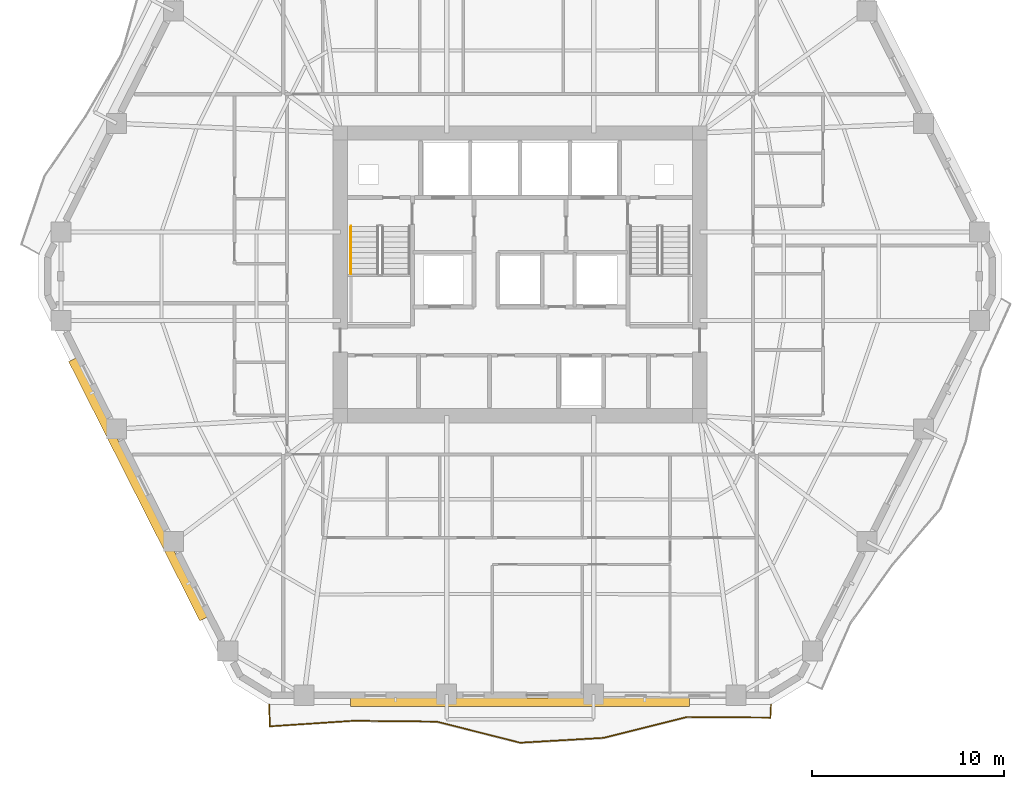
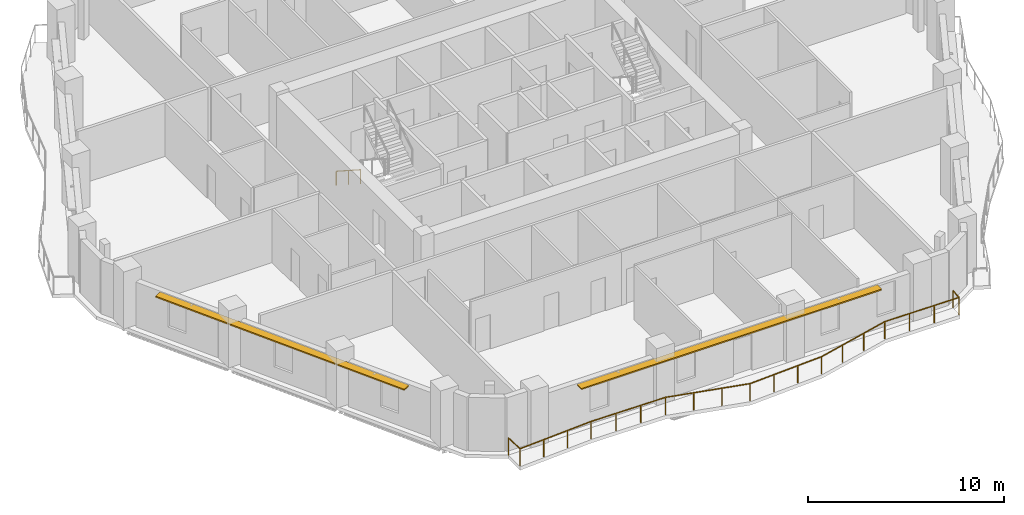
# One storey, part 10 of 12: 2 railings, 2 shading devices.
"""IFC4 building model written with IfcOpenShell, lengths in metres."""

from ifc_helpers import new_model, si_unit, direction, frame, origin, origin_2d, place, context, subcontext, project, spatial, rectangle, extrude, material, layer, layer_set, type_object, element, save


model = new_model("IFC4")

# Units and contexts
model_context = context("Model", 3, precision=1e-05, world=origin(), true_north=direction((0.0, 1.0)))
body_context = subcontext(model_context, "Body", "Model", "MODEL_VIEW")
ifc_project = project(units=[si_unit("LENGTHUNIT", "METRE"), si_unit("AREAUNIT", "SQUARE_METRE"), si_unit("VOLUMEUNIT", "CUBIC_METRE"), si_unit("PLANEANGLEUNIT", "RADIAN"), si_unit("MASSUNIT", "GRAM", prefix="KILO")], contexts=[model_context])

# Site, building, storey
site_placement = place(None, origin())
site = spatial("IfcSite", under=ifc_project, at=site_placement, CompositionType="ELEMENT")
building_placement = place(site_placement, origin())
building = spatial("IfcBuilding", under=site, at=building_placement, Name="Cinnabar Lancet Tower", CompositionType="ELEMENT")
storey_placement = place(building_placement, frame((0.0, 0.0, 141.0)))
storey = spatial("IfcBuildingStorey", under=building, at=storey_placement, Name="L37", CompositionType="ELEMENT", Elevation=141.0)

# Railing
ifc_material_1 = material(Name="Laminated safety glass and bronze stainless steel balustrade", Category="steel")
railing_type_1 = type_object("IfcRailingType", Name="ENV-RLG-BAL-1100", PredefinedType="BALUSTRADE", material=ifc_material_1)
railing_1_placement = place(storey_placement, frame((19.30810546875, 3.449951171875, 0.0)))
element("IfcRailing", 1, at=railing_1_placement, inside=storey, type_object=railing_type_1, Name="L37 Face 1 Wave Balcony Balustrade", PredefinedType="BALUSTRADE", context=body_context, shape_type="SweptSolid", body=[
    extrude(rectangle(XDim=0.048095703125, YDim=0.048095703125, at=origin_2d()), frame((0.0, 0.0, 1.076171875), z_axis=(0.029995133036, -0.999550044767, 0.0), x_axis=(0.999550044767, 0.029995133036, 0.0)), (0.0, 0.0, 1.0), 1.13134765625),
    extrude(rectangle(XDim=0.048095703125, YDim=0.048095703125, at=origin_2d()), frame((0.033935546875, -1.130859375, 1.076171875), z_axis=(0.99780811653, 0.066173730343, 0.0), x_axis=(-0.066173730343, 0.99780811653, 0.0)), (0.0, 0.0, 1.0), 4.364501953125),
    extrude(rectangle(XDim=0.048095703125, YDim=0.048095703125, at=origin_2d()), frame((4.388916015625, -0.842041015625, 1.076171875), z_axis=(0.999953453313, -0.009648378434, 0.0), x_axis=(0.009648378434, 0.999953453313, 0.0)), (0.0, 0.0, 1.0), 4.352294921875),
    extrude(rectangle(XDim=0.048095703125, YDim=0.048095703125, at=origin_2d()), frame((8.740966796875, -0.884033203125, 1.076171875), z_axis=(0.969450605308, -0.245286615753, 0.0), x_axis=(0.245286615753, 0.969450605308, 0.0)), (0.0, 0.0, 1.0), 4.488037109375),
    extrude(rectangle(XDim=0.048095703125, YDim=0.048095703125, at=origin_2d()), frame((13.091796875, -1.98486328125, 1.076171875), z_axis=(0.998315452558, 0.058019455225, 0.0), x_axis=(-0.058019455225, 0.998315452558, 0.0)), (0.0, 0.0, 1.0), 4.359375),
    extrude(rectangle(XDim=0.048095703125, YDim=0.048095703125, at=origin_2d()), frame((17.44384765625, -1.73193359375, 1.076171875), z_axis=(0.970136095719, 0.242561241304, 0.0), x_axis=(-0.242561241304, 0.970136095719, 0.0)), (0.0, 0.0, 1.0), 4.485107421875),
    extrude(rectangle(XDim=0.048095703125, YDim=0.048095703125, at=origin_2d()), frame((21.794921875, -0.64404296875, 1.076171875), z_axis=(0.999974645012, -0.007121048554, 0.0), x_axis=(0.007121048554, 0.999974645012, 0.0)), (0.0, 0.0, 1.0), 4.35400390625),
    extrude(rectangle(XDim=0.048095703125, YDim=0.048095703125, at=origin_2d()), frame((26.14892578125, -0.675048828125, 1.076171875), z_axis=(0.051648874785, 0.998665306163, 0.0), x_axis=(-0.998665306163, 0.051648874785, 0.0)), (0.0, 0.0, 1.0), 0.676025390625),
    extrude(rectangle(XDim=0.0419921875, YDim=0.0419921875, at=origin_2d()), origin(), (0.0, 0.0, 1.0), 1.052001953125),
    extrude(rectangle(XDim=0.0419921875, YDim=0.0419921875, at=origin_2d()), frame((0.033935546875, -1.130859375, 0.0)), (0.0, 0.0, 1.0), 1.052001953125),
    extrude(rectangle(XDim=0.0419921875, YDim=0.0419921875, at=origin_2d()), frame((1.485595703125, -1.03466796875, 0.0)), (0.0, 0.0, 1.0), 1.052001953125),
    extrude(rectangle(XDim=0.0419921875, YDim=0.0419921875, at=origin_2d()), frame((2.937255859375, -0.938232421875, 0.0)), (0.0, 0.0, 1.0), 1.052001953125),
    extrude(rectangle(XDim=0.0419921875, YDim=0.0419921875, at=origin_2d()), frame((4.388916015625, -0.842041015625, 0.0)), (0.0, 0.0, 1.0), 1.052001953125),
    extrude(rectangle(XDim=0.0419921875, YDim=0.0419921875, at=origin_2d()), frame((5.839599609375, -0.85595703125, 0.0)), (0.0, 0.0, 1.0), 1.052001953125),
    extrude(rectangle(XDim=0.0419921875, YDim=0.0419921875, at=origin_2d()), frame((7.290283203125, -0.8701171875, 0.0)), (0.0, 0.0, 1.0), 1.052001953125),
    extrude(rectangle(XDim=0.0419921875, YDim=0.0419921875, at=origin_2d()), frame((8.740966796875, -0.884033203125, 0.0)), (0.0, 0.0, 1.0), 1.052001953125),
    extrude(rectangle(XDim=0.0419921875, YDim=0.0419921875, at=origin_2d()), frame((10.191162109375, -1.2509765625, 0.0)), (0.0, 0.0, 1.0), 1.052001953125),
    extrude(rectangle(XDim=0.0419921875, YDim=0.0419921875, at=origin_2d()), frame((11.6416015625, -1.617919921875, 0.0)), (0.0, 0.0, 1.0), 1.052001953125),
    extrude(rectangle(XDim=0.0419921875, YDim=0.0419921875, at=origin_2d()), frame((13.091796875, -1.98486328125, 0.0)), (0.0, 0.0, 1.0), 1.052001953125),
    extrude(rectangle(XDim=0.0419921875, YDim=0.0419921875, at=origin_2d()), frame((14.54248046875, -1.900634765625, 0.0)), (0.0, 0.0, 1.0), 1.052001953125),
    extrude(rectangle(XDim=0.0419921875, YDim=0.0419921875, at=origin_2d()), frame((15.9931640625, -1.816162109375, 0.0)), (0.0, 0.0, 1.0), 1.052001953125),
    extrude(rectangle(XDim=0.0419921875, YDim=0.0419921875, at=origin_2d()), frame((17.44384765625, -1.73193359375, 0.0)), (0.0, 0.0, 1.0), 1.052001953125),
    extrude(rectangle(XDim=0.0419921875, YDim=0.0419921875, at=origin_2d()), frame((18.894287109375, -1.369384765625, 0.0)), (0.0, 0.0, 1.0), 1.052001953125),
    extrude(rectangle(XDim=0.0419921875, YDim=0.0419921875, at=origin_2d()), frame((20.344482421875, -1.006591796875, 0.0)), (0.0, 0.0, 1.0), 1.052001953125),
    extrude(rectangle(XDim=0.0419921875, YDim=0.0419921875, at=origin_2d()), frame((21.794921875, -0.64404296875, 0.0)), (0.0, 0.0, 1.0), 1.052001953125),
    extrude(rectangle(XDim=0.0419921875, YDim=0.0419921875, at=origin_2d()), frame((23.246337890625, -0.654296875, 0.0)), (0.0, 0.0, 1.0), 1.052001953125),
    extrude(rectangle(XDim=0.0419921875, YDim=0.0419921875, at=origin_2d()), frame((24.697509765625, -0.664794921875, 0.0)), (0.0, 0.0, 1.0), 1.052001953125),
    extrude(rectangle(XDim=0.0419921875, YDim=0.0419921875, at=origin_2d()), frame((26.14892578125, -0.675048828125, 0.0)), (0.0, 0.0, 1.0), 1.052001953125),
    extrude(rectangle(XDim=0.0419921875, YDim=0.0419921875, at=origin_2d()), frame((26.183837890625, 0.0, 0.0)), (0.0, 0.0, 1.0), 1.052001953125),
])

# Shading devices
ifc_material_2 = material(Name="Pale limestone architectural aluminium sunshade", Category="masonry")
ifc_layer = layer(ifc_material_2, 0.080078125)
ifc_layer_set = layer_set([ifc_layer], Name="Pale limestone architectural aluminium sunshade")
shading_device_type = type_object("IfcShadingDeviceType", Name="ENV-SHD-LVR-450", PredefinedType="JALOUSIE", material=ifc_layer_set)
shading_device_1_placement = place(storey_placement, frame((32.39990234375, 3.580078125, 2.639892578125), z_axis=(0.0, 0.0, 1.0), x_axis=(1.0, 0.0, 0.0)))
element("IfcShadingDevice", 2, at=shading_device_1_placement, inside=storey, type_object=shading_device_type, Name="L37 Face 1 Horizontal Sunshade Canopy", PredefinedType="JALOUSIE", context=body_context, shape_type="SweptSolid", body=[
    extrude(rectangle(XDim=17.68310546875, YDim=0.449951171875, at=origin_2d()), origin(), (0.0, 0.0, 1.0), 0.080078125),
])
shading_device_2_placement = place(storey_placement, frame((12.471923828125, 14.680908203125, 2.639892578125), z_axis=(0.0, 0.0, 1.0), x_axis=(0.451453853408, -0.892294468347, 0.0)))
element("IfcShadingDevice", 3, at=shading_device_2_placement, inside=storey, type_object=shading_device_type, Name="L37 Face 6 Horizontal Sunshade Canopy", PredefinedType="JALOUSIE", context=body_context, shape_type="SweptSolid", body=[
    extrude(rectangle(XDim=15.156982421875, YDim=0.449951171875, at=origin_2d()), origin(), (0.0, 0.0, 1.0), 0.080078125),
])

# Railing
ifc_material_3 = material(Name="Brushed stainless steel handrail", Category="steel")
railing_type_2 = type_object("IfcRailingType", Name="HANDRAIL-STAIR", PredefinedType="HANDRAIL", material=ifc_material_3)
railing_2_placement = place(storey_placement, frame((23.574951171875, 28.39990234375, 0.177490234375)))
element("IfcRailing", 4, at=railing_2_placement, inside=storey, type_object=railing_type_2, Name="L37 ST-1 stair handrail 1", PredefinedType="HANDRAIL", context=body_context, shape_type="SweptSolid", body=[
    extrude(rectangle(XDim=0.048095703125, YDim=0.048095703125, at=origin_2d()), frame((0.0, 0.0, 0.8759765625), z_axis=(0.0, -0.840183358697, 0.542302428327), x_axis=(1.0, 0.0, 0.0)), (0.0, 0.0, 1.0), 2.945556640625),
    extrude(rectangle(XDim=0.0419921875, YDim=0.0419921875, at=origin_2d()), origin(), (0.0, 0.0, 1.0), 0.851806640625),
    extrude(rectangle(XDim=0.0419921875, YDim=0.0419921875, at=origin_2d()), frame((0.0, -1.2373046875, 0.798828125)), (0.0, 0.0, 1.0), 0.851806640625),
    extrude(rectangle(XDim=0.0419921875, YDim=0.0419921875, at=origin_2d()), frame((0.0, -2.474853515625, 1.597412109375)), (0.0, 0.0, 1.0), 0.851806640625),
])

save(model, "model.ifc")
